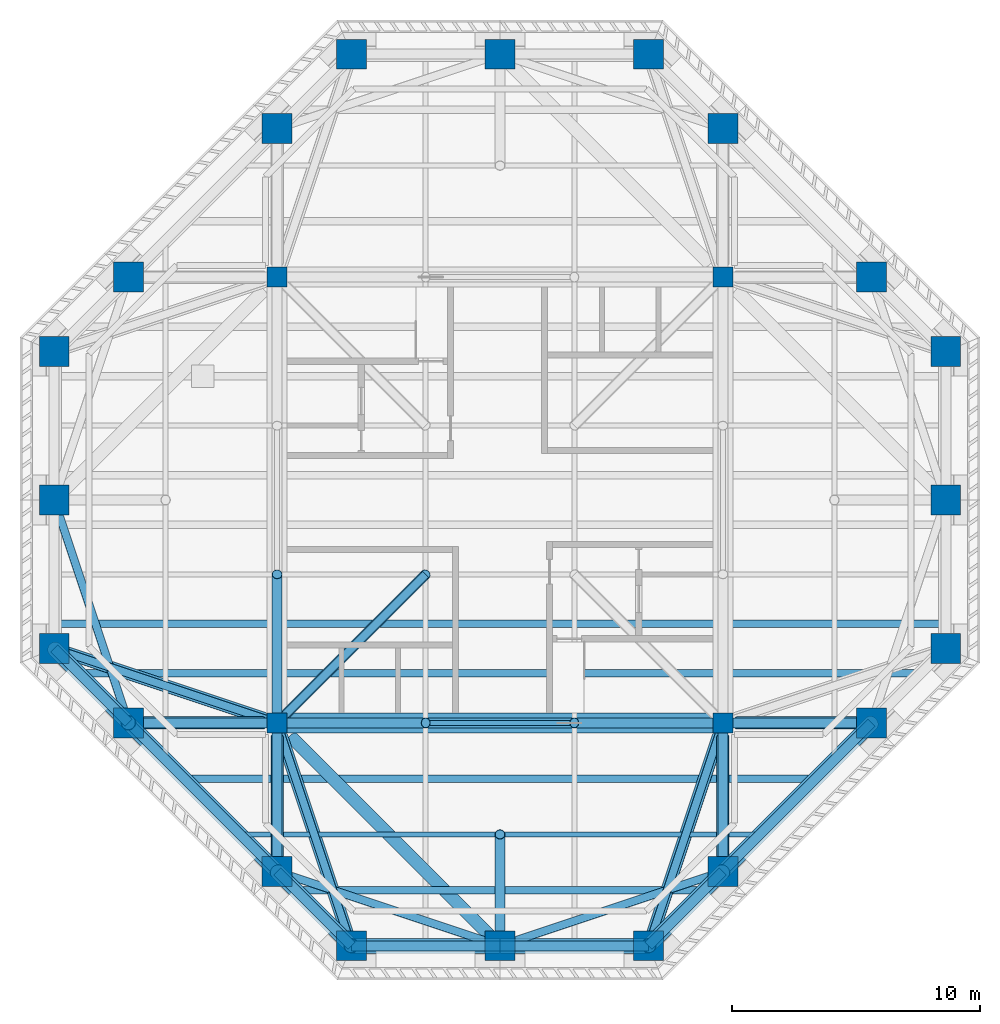
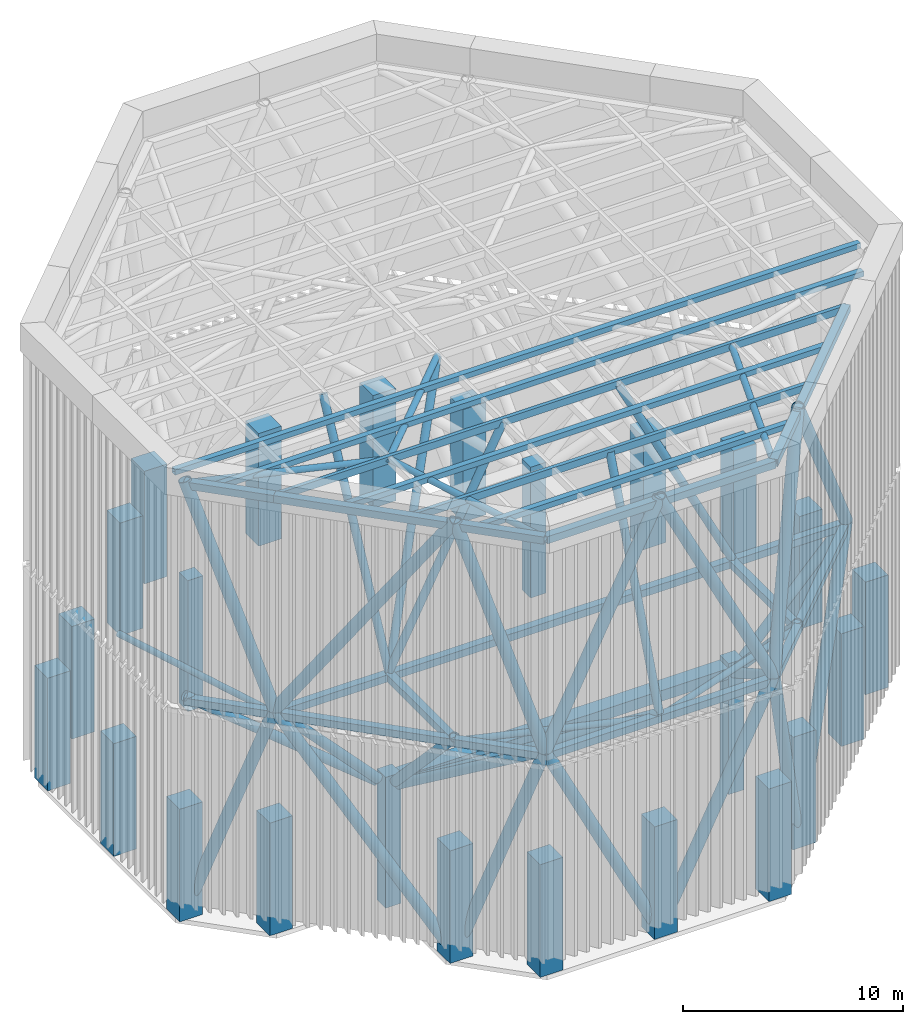
# One storey, part 1 of 8: 34 members, 26 beams, 24 columns.
"""IFC4 building model written with IfcOpenShell, lengths in metres."""

from ifc_helpers import new_model, si_unit, direction, frame, origin, origin_2d, place, context, subcontext, project, spatial, rectangle, hollow_rectangle, hollow_circle, extrude, material, material_profile, profile_set, type_object, element, save


model = new_model("IFC4")

# Units and contexts
model_context = context("Model", 3, precision=1e-05, world=origin(), true_north=direction((0.0, 1.0)))
body_context = subcontext(model_context, "Body", "Model", "MODEL_VIEW")
ifc_project = project(units=[si_unit("LENGTHUNIT", "METRE"), si_unit("AREAUNIT", "SQUARE_METRE"), si_unit("VOLUMEUNIT", "CUBIC_METRE"), si_unit("PLANEANGLEUNIT", "RADIAN"), si_unit("MASSUNIT", "GRAM", prefix="KILO")], contexts=[model_context])

# Site, building, storey
site_placement = place(None, origin())
site = spatial("IfcSite", under=ifc_project, at=site_placement, CompositionType="ELEMENT")
building_placement = place(site_placement, origin())
building = spatial("IfcBuilding", under=site, at=building_placement, Name="Torre Cruceta", CompositionType="ELEMENT")
storey_placement = place(building_placement, frame((0.0, 0.0, 293.300048828125)))
storey = spatial("IfcBuildingStorey", under=building, at=storey_placement, Name="RF", CompositionType="ELEMENT", Elevation=293.300048828125)

# Columns
ifc_material_1 = material(Name="Concrete G60 (fck 60 MPa)", Category="concrete")
ifc_material_profile_1 = material_profile(ifc_material_1, rectangle(XDim=1.199951171875, YDim=1.199951171875, at=origin_2d()), Name="RC 1200X1200")
ifc_profile_set_1 = profile_set([ifc_material_profile_1], Name="Concrete G60 (fck 60 MPa)")
column_type_1 = type_object("IfcColumnType", Name="CROWN FRAME POST RC 1200X1200", PredefinedType="COLUMN", material=ifc_profile_set_1)
for number, where, z_axis, x_axis, name in (
    (1, (-18.0, -6.0, 0.0), (0.0, 0.0, 1.0), (1.0, 0.0, 0.0), "Crown frame post CF1 01"),
    (2, (-15.0, -9.0, 0.0), (0.0, 0.0, 1.0), (1.0, 0.0, 0.0), "Crown frame post CF1 02"),
    (3, (-9.0, -15.0, 0.0), (0.0, 0.0, 1.0), (1.0, 0.0, 0.0), "Crown frame post CF1 03"),
    (4, (-6.0, -18.0, 0.0), (0.0, 0.0, 1.0), (1.0, 0.0, 0.0), "Crown frame post CF1 04"),
    (5, (0.0, -18.0, 0.0), (0.0, 0.0, 1.0), (1.0, 0.0, 0.0), "Crown frame post CF1 05"),
    (6, (6.0, -18.0, 0.0), (0.0, 0.0, 1.0), (1.0, 0.0, 0.0), "Crown frame post CF1 06"),
    (7, (9.0, -15.0, 0.0), (0.0, 0.0, 1.0), (1.0, 0.0, 0.0), "Crown frame post CF1 07"),
    (8, (15.0, -9.0, 0.0), (0.0, 0.0, 1.0), (1.0, 0.0, 0.0), "Crown frame post CF1 08"),
    (9, (18.0, -6.0, 0.0), (0.0, 0.0, 1.0), (1.0, 0.0, 0.0), "Crown frame post CF1 09"),
    (10, (18.0, 0.0, 0.0), (0.0, 0.0, 1.0), (1.0, 0.0, 0.0), "Crown frame post CF1 10"),
    (11, (18.0, 6.0, 0.0), (0.0, 0.0, 1.0), (1.0, 0.0, 0.0), "Crown frame post CF1 11"),
    (12, (15.0, 9.0, 0.0), (0.0, 0.0, 1.0), (1.0, 0.0, 0.0), "Crown frame post CF1 12"),
    (13, (9.0, 15.0, 0.0), (0.0, 0.0, 1.0), (1.0, 0.0, 0.0), "Crown frame post CF1 13"),
    (14, (6.0, 18.0, 0.0), (0.0, 0.0, 1.0), (1.0, 0.0, 0.0), "Crown frame post CF1 14"),
    (15, (0.0, 18.0, 0.0), (0.0, 0.0, 1.0), (1.0, 0.0, 0.0), "Crown frame post CF1 15"),
    (16, (-6.0, 18.0, 0.0), (0.0, 0.0, 1.0), (1.0, 0.0, 0.0), "Crown frame post CF1 16"),
    (17, (-9.0, 15.0, 0.0), (0.0, 0.0, 1.0), (1.0, 0.0, 0.0), "Crown frame post CF1 17"),
    (18, (-15.0, 9.0, 0.0), (0.0, 0.0, 1.0), (1.0, 0.0, 0.0), "Crown frame post CF1 18"),
    (19, (-18.0, 6.0, 0.0), (0.0, 0.0, 1.0), (1.0, 0.0, 0.0), "Crown frame post CF1 19"),
    (20, (-18.0, 0.0, 0.0), (0.0, 0.0, 1.0), (1.0, 0.0, 0.0), "Crown frame post CF1 20"),
):
    element("IfcColumn", number, at=place(storey_placement, frame(where, z_axis=z_axis, x_axis=x_axis)), inside=storey, type_object=column_type_1, Name=name, PredefinedType="COLUMN", context=body_context, shape_type="SweptSolid", body=[
        extrude(rectangle(XDim=1.199951171875, YDim=1.199951171875, at=origin_2d()), origin(), (0.0, 0.0, 1.0), 6.25),
    ])
ifc_material_2 = material(Name="Concrete G60 (fck 60 MPa)", Category="concrete")
ifc_material_profile_2 = material_profile(ifc_material_2, rectangle(XDim=0.800048828125, YDim=0.800048828125, at=origin_2d()), Name="RC 800X800")
ifc_profile_set_2 = profile_set([ifc_material_profile_2], Name="Concrete G60 (fck 60 MPa)")
column_type_2 = type_object("IfcColumnType", Name="HEAD-HOUSE CORNER COLUMN RC 800X800", PredefinedType="COLUMN", material=ifc_profile_set_2)
for number, where, z_axis, x_axis, name in (
    (21, (9.0, 9.0, -0.762451171875), (0.0, 0.0, 1.0), (1.0, 0.0, 0.0), "CH1 RF core corner 1"),
    (22, (-9.0, 9.0, -0.762451171875), (0.0, 0.0, 1.0), (1.0, 0.0, 0.0), "CH1 RF core corner 2"),
    (23, (-9.0, -9.0, -0.762451171875), (0.0, 0.0, 1.0), (1.0, 0.0, 0.0), "CH1 RF core corner 3"),
    (24, (9.0, -9.0, -0.762451171875), (0.0, 0.0, 1.0), (1.0, 0.0, 0.0), "CH1 RF core corner 4"),
):
    element("IfcColumn", number, at=place(storey_placement, frame(where, z_axis=z_axis, x_axis=x_axis)), inside=storey, type_object=column_type_2, Name=name, PredefinedType="COLUMN", context=body_context, shape_type="SweptSolid", body=[
        extrude(rectangle(XDim=0.800048828125, YDim=0.800048828125, at=origin_2d()), origin(), (0.0, 0.0, 1.0), 7.262451171875),
    ])

# Beam
ifc_material_3 = material(Name="Concrete G60 (fck 60 MPa)", Category="concrete")
ifc_material_profile_3 = material_profile(ifc_material_3, rectangle(XDim=0.800048828125, YDim=0.60009765625, at=origin_2d()), Name="RC 800X600")
ifc_profile_set_3 = profile_set([ifc_material_profile_3], Name="Concrete G60 (fck 60 MPa)")
beam_type_1 = type_object("IfcBeamType", Name="CORE ROOF RING BEAM RC 800X600", PredefinedType="BEAM", material=ifc_profile_set_3)
beam_1_placement = place(storey_placement, frame((-9.0, -9.0, 5.949951171875), z_axis=(1.0, 0.0, 0.0), x_axis=(0.0, 1.0, 0.0)))
element("IfcBeam", 25, at=beam_1_placement, inside=storey, type_object=beam_type_1, Name="RB1 RF core ring 3", PredefinedType="BEAM", context=body_context, shape_type="SweptSolid", body=[
    extrude(rectangle(XDim=0.800048828125, YDim=0.60009765625, at=origin_2d()), origin(), (0.0, 0.0, 1.0), 18.0),
])

# Members
ifc_material_4 = material(Name="Steel S355J2H", Category="steel")
ifc_material_profile_4 = material_profile(ifc_material_4, hollow_circle(Radius=0.304931640625, WallThickness=0.02490234375, at=origin_2d()), Name="CHS610X25")
ifc_profile_set_4 = profile_set([ifc_material_profile_4], Name="Steel S355J2H")
member_type_1 = type_object("IfcMemberType", Name="CROWN FRAME BRACE CHS610X25", PredefinedType="BRACE", material=ifc_profile_set_4)
member_1_placement = place(storey_placement, frame((-17.973388671875, -6.026611328125, 0.106689453125), z_axis=(0.235706561174, -0.235706561174, 0.942806891171), x_axis=(0.707106781187, 0.707106781187, 0.0)))
element("IfcMember", 26, at=member_1_placement, inside=storey, type_object=member_type_1, Name="Crown frame brace CD2 1-01", PredefinedType="BRACE", context=body_context, shape_type="SweptSolid", body=[
    extrude(hollow_circle(Radius=0.304931640625, WallThickness=0.02490234375, at=origin_2d()), origin(), (0.0, 0.0, 1.0), 12.61474609375),
])
member_2_placement = place(storey_placement, frame((-9.090576171875, -14.909423828125, 0.18115234375), z_axis=(-0.408248290464, 0.408248290464, 0.816496580928), x_axis=(-0.707106781187, -0.707106781187, 0.0)))
element("IfcMember", 27, at=member_2_placement, inside=storey, type_object=member_type_1, Name="Crown frame brace CD2 1-02", PredefinedType="BRACE", context=body_context, shape_type="SweptSolid", body=[
    extrude(hollow_circle(Radius=0.304931640625, WallThickness=0.02490234375, at=origin_2d()), origin(), (0.0, 0.0, 1.0), 14.47509765625),
])
member_3_placement = place(storey_placement, frame((-8.973388671875, -15.026611328125, 0.106689453125), z_axis=(0.235706561174, -0.235706561174, 0.942806891171), x_axis=(0.707106781187, 0.707106781187, 0.0)))
element("IfcMember", 28, at=member_3_placement, inside=storey, type_object=member_type_1, Name="Crown frame brace CD2 1-03", PredefinedType="BRACE", context=body_context, shape_type="SweptSolid", body=[
    extrude(hollow_circle(Radius=0.304931640625, WallThickness=0.02490234375, at=origin_2d()), origin(), (0.0, 0.0, 1.0), 12.61474609375),
])
for number, where, z_axis, x_axis, name in (
    (29, (-0.07080078125, -18.0, 0.141357421875), (-0.447206229822, 0.0, 0.894430873801), (0.0, -1.0, 0.0), "Crown frame brace CD2 1-04"),
    (30, (0.07080078125, -18.0, 0.141357421875), (0.447206229822, 0.0, 0.894430873801), (0.0, 1.0, 0.0), "Crown frame brace CD2 1-05"),
):
    element("IfcMember", number, at=place(storey_placement, frame(where, z_axis=z_axis, x_axis=x_axis)), inside=storey, type_object=member_type_1, Name=name, PredefinedType="BRACE", context=body_context, shape_type="SweptSolid", body=[
        extrude(hollow_circle(Radius=0.304931640625, WallThickness=0.02490234375, at=origin_2d()), origin(), (0.0, 0.0, 1.0), 13.25830078125),
    ])
member_4_placement = place(storey_placement, frame((8.973388671875, -15.026611328125, 0.106689453125), z_axis=(-0.235706561174, -0.235706561174, 0.942806891171), x_axis=(0.707106781187, -0.707106781187, 0.0)))
element("IfcMember", 31, at=member_4_placement, inside=storey, type_object=member_type_1, Name="Crown frame brace CD2 1-06", PredefinedType="BRACE", context=body_context, shape_type="SweptSolid", body=[
    extrude(hollow_circle(Radius=0.304931640625, WallThickness=0.02490234375, at=origin_2d()), origin(), (0.0, 0.0, 1.0), 12.61474609375),
])
member_5_placement = place(storey_placement, frame((9.090576171875, -14.909423828125, 0.18115234375), z_axis=(0.408248290464, 0.408248290464, 0.816496580928), x_axis=(-0.707106781187, 0.707106781187, 0.0)))
element("IfcMember", 32, at=member_5_placement, inside=storey, type_object=member_type_1, Name="Crown frame brace CD2 1-07", PredefinedType="BRACE", context=body_context, shape_type="SweptSolid", body=[
    extrude(hollow_circle(Radius=0.304931640625, WallThickness=0.02490234375, at=origin_2d()), origin(), (0.0, 0.0, 1.0), 14.47509765625),
])
ifc_material_5 = material(Name="Steel S355J2H", Category="steel")
ifc_material_profile_5 = material_profile(ifc_material_5, hollow_circle(Radius=0.304931640625, WallThickness=0.030029296875, at=origin_2d()), Name="CHS610X30")
ifc_profile_set_5 = profile_set([ifc_material_profile_5], Name="Steel S355J2H")
member_type_2 = type_object("IfcMemberType", Name="CROWN FRAME BRACE CHS610X30", PredefinedType="BRACE", material=ifc_profile_set_5)
member_6_placement = place(storey_placement, frame((-15.0, -9.0, 12.0), z_axis=(-0.235702260396, 0.235702260396, 0.942809041582), x_axis=(-0.707106781187, -0.707106781187, 0.0)))
element("IfcMember", 33, at=member_6_placement, inside=storey, type_object=member_type_2, Name="Crown frame brace CD1 2-01", PredefinedType="BRACE", context=body_context, shape_type="SweptSolid", body=[
    extrude(hollow_circle(Radius=0.304931640625, WallThickness=0.030029296875, at=origin_2d()), origin(), (0.0, 0.0, 1.0), 12.72802734375),
])
member_7_placement = place(storey_placement, frame((-15.0, -9.0, 12.0), z_axis=(0.408248290464, -0.408248290464, 0.816496580928), x_axis=(0.707106781187, 0.707106781187, 0.0)))
element("IfcMember", 34, at=member_7_placement, inside=storey, type_object=member_type_2, Name="Crown frame brace CD1 2-02", PredefinedType="BRACE", context=body_context, shape_type="SweptSolid", body=[
    extrude(hollow_circle(Radius=0.304931640625, WallThickness=0.030029296875, at=origin_2d()), origin(), (0.0, 0.0, 1.0), 14.697021484375),
])
member_8_placement = place(storey_placement, frame((-6.0, -18.0, 12.0), z_axis=(-0.235702260396, 0.235702260396, 0.942809041582), x_axis=(-0.707106781187, -0.707106781187, 0.0)))
element("IfcMember", 35, at=member_8_placement, inside=storey, type_object=member_type_2, Name="Crown frame brace CD1 2-03", PredefinedType="BRACE", context=body_context, shape_type="SweptSolid", body=[
    extrude(hollow_circle(Radius=0.304931640625, WallThickness=0.030029296875, at=origin_2d()), origin(), (0.0, 0.0, 1.0), 12.72802734375),
])
for number, where, z_axis, x_axis, name in (
    (36, (-6.0, -18.0, 12.0), (0.4472135955, 0.0, 0.894427191), (0.0, 1.0, 0.0), "Crown frame brace CD1 2-04"),
    (37, (6.0, -18.0, 12.0), (-0.4472135955, 0.0, 0.894427191), (0.0, -1.0, 0.0), "Crown frame brace CD1 2-05"),
):
    element("IfcMember", number, at=place(storey_placement, frame(where, z_axis=z_axis, x_axis=x_axis)), inside=storey, type_object=member_type_2, Name=name, PredefinedType="BRACE", context=body_context, shape_type="SweptSolid", body=[
        extrude(hollow_circle(Radius=0.304931640625, WallThickness=0.030029296875, at=origin_2d()), origin(), (0.0, 0.0, 1.0), 13.41650390625),
    ])
member_9_placement = place(storey_placement, frame((6.0, -18.0, 12.0), z_axis=(0.235702260396, 0.235702260396, 0.942809041582), x_axis=(-0.707106781187, 0.707106781187, 0.0)))
element("IfcMember", 38, at=member_9_placement, inside=storey, type_object=member_type_2, Name="Crown frame brace CD1 2-06", PredefinedType="BRACE", context=body_context, shape_type="SweptSolid", body=[
    extrude(hollow_circle(Radius=0.304931640625, WallThickness=0.030029296875, at=origin_2d()), origin(), (0.0, 0.0, 1.0), 12.72802734375),
])
member_10_placement = place(storey_placement, frame((15.0, -9.0, 12.0), z_axis=(-0.408248290464, -0.408248290464, 0.816496580928), x_axis=(0.707106781187, -0.707106781187, 0.0)))
element("IfcMember", 39, at=member_10_placement, inside=storey, type_object=member_type_2, Name="Crown frame brace CD1 2-07", PredefinedType="BRACE", context=body_context, shape_type="SweptSolid", body=[
    extrude(hollow_circle(Radius=0.304931640625, WallThickness=0.030029296875, at=origin_2d()), origin(), (0.0, 0.0, 1.0), 14.697021484375),
])

# Beams
ifc_material_6 = material(Name="Steel S355J2H", Category="steel")
ifc_material_profile_6 = material_profile(ifc_material_6, hollow_rectangle(XDim=0.199951171875, YDim=0.39990234375, WallThickness=0.012451171875, at=origin_2d()), Name="RHS400X200X12.5")
ifc_profile_set_6 = profile_set([ifc_material_profile_6], Name="Steel S355J2H")
beam_type_2 = type_object("IfcBeamType", Name="CROWN FRAME CAP BEAM RHS400X200X12.5", PredefinedType="BEAM", material=ifc_profile_set_6)
beam_2_placement = place(storey_placement, frame((-15.0, -9.0, 23.800048828125), z_axis=(1.0, 0.0, 0.0), x_axis=(0.0, 1.0, 0.0)))
element("IfcBeam", 40, at=beam_2_placement, inside=storey, type_object=beam_type_2, Name="Crown frame cap beam CK1 G01", PredefinedType="BEAM", context=body_context, shape_type="SweptSolid", body=[
    extrude(hollow_rectangle(XDim=0.199951171875, YDim=0.39990234375, WallThickness=0.012451171875, at=origin_2d()), origin(), (0.0, 0.0, 1.0), 30.0),
])
beam_3_placement = place(storey_placement, frame((-10.5, -13.5, 23.800048828125), z_axis=(1.0, 0.0, 0.0), x_axis=(0.0, 1.0, 0.0)))
element("IfcBeam", 41, at=beam_3_placement, inside=storey, type_object=beam_type_2, Name="Crown frame cap beam CK1 G09", PredefinedType="BEAM", context=body_context, shape_type="SweptSolid", body=[
    extrude(hollow_rectangle(XDim=0.199951171875, YDim=0.39990234375, WallThickness=0.012451171875, at=origin_2d()), origin(), (0.0, 0.0, 1.0), 21.0),
])

# Members
ifc_material_7 = material(Name="Steel S355J2H", Category="steel")
ifc_material_profile_7 = material_profile(ifc_material_7, hollow_circle(Radius=0.203125, WallThickness=0.012451171875, at=origin_2d()), Name="CHS406.4X12.5")
ifc_profile_set_7 = profile_set([ifc_material_profile_7], Name="Steel S355J2H")
member_type_3 = type_object("IfcMemberType", Name="CROWN FRAME CAP STRUT CHS406.4X12.5", PredefinedType="BRACE", material=ifc_profile_set_7)
for number, where, z_axis, x_axis, name in (
    (42, (9.0, -9.0, 12.0), (-0.45324518615, 0.0, 0.891385887947), (0.0, -1.0, 0.0), "Crown frame cap strut CD3 04"),
    (43, (-9.0, -9.0, 12.0), (0.45324518615, 0.0, 0.891385887947), (0.0, 1.0, 0.0), "Crown frame cap strut CD3 10"),
    (44, (-9.0, -9.0, 12.0), (0.0, 0.45324518615, 0.891385887947), (-1.0, 0.0, 0.0), "Crown frame cap strut CD3 11"),
):
    element("IfcMember", number, at=place(storey_placement, frame(where, z_axis=z_axis, x_axis=x_axis)), inside=storey, type_object=member_type_3, Name=name, PredefinedType="BRACE", context=body_context, shape_type="SweptSolid", body=[
        extrude(hollow_circle(Radius=0.203125, WallThickness=0.012451171875, at=origin_2d()), origin(), (0.0, 0.0, 1.0), 13.23779296875),
    ])
member_11_placement = place(storey_placement, frame((-9.0, -9.0, 12.0), z_axis=(0.412821194751, 0.412821194751, 0.811885042558), x_axis=(-0.707106781187, 0.707106781187, 0.0)))
element("IfcMember", 45, at=member_11_placement, inside=storey, type_object=member_type_3, Name="Crown frame cap strut CD3 12", PredefinedType="BRACE", context=body_context, shape_type="SweptSolid", body=[
    extrude(hollow_circle(Radius=0.203125, WallThickness=0.012451171875, at=origin_2d()), origin(), (0.0, 0.0, 1.0), 14.5341796875),
])
member_12_placement = place(storey_placement, frame((0.0, -18.0, 12.0), z_axis=(0.0, 0.356323295084, 0.934362729019), x_axis=(-1.0, 0.0, 0.0)))
element("IfcMember", 46, at=member_12_placement, inside=storey, type_object=member_type_3, Name="Crown frame cap strut CD3 14", PredefinedType="BRACE", context=body_context, shape_type="SweptSolid", body=[
    extrude(hollow_circle(Radius=0.203125, WallThickness=0.012451171875, at=origin_2d()), origin(), (0.0, 0.0, 1.0), 12.62890625),
])
ifc_material_8 = material(Name="Steel S355J2H", Category="steel")
ifc_material_profile_8 = material_profile(ifc_material_8, hollow_circle(Radius=0.161865234375, WallThickness=0.010009765625, at=origin_2d()), Name="CHS323.9X10")
ifc_profile_set_8 = profile_set([ifc_material_profile_8], Name="Steel S355J2H")
member_type_4 = type_object("IfcMemberType", Name="CROWN FRAME PLAN BRACE CHS323.9X10", PredefinedType="BRACE", material=ifc_profile_set_8)
for number, where, z_axis, x_axis, name in (
    (47, (-9.0, -15.0, 11.800048828125), (0.948683298051, -0.316227766017, 0.0), (0.316227766017, 0.948683298051, 0.0), "Crown frame plan brace CX1 1-03"),
    (48, (0.0, -18.0, 11.800048828125), (0.948683298051, 0.316227766017, 0.0), (-0.316227766017, 0.948683298051, 0.0), "Crown frame plan brace CX1 1-05"),
    (49, (-18.0, 0.0, 11.800048828125), (0.316227766017, -0.948683298051, 0.0), (0.948683298051, 0.316227766017, 0.0), "Crown frame plan brace CX1 1-20"),
):
    element("IfcMember", number, at=place(storey_placement, frame(where, z_axis=z_axis, x_axis=x_axis)), inside=storey, type_object=member_type_4, Name=name, PredefinedType="BRACE", context=body_context, shape_type="SweptSolid", body=[
        extrude(hollow_circle(Radius=0.161865234375, WallThickness=0.010009765625, at=origin_2d()), origin(), (0.0, 0.0, 1.0), 9.48681640625),
    ])
member_13_placement = place(storey_placement, frame((-9.0, -9.0, 23.800048828125), z_axis=(0.707106781187, 0.707106781187, 0.0), x_axis=(-0.707106781187, 0.707106781187, 0.0)))
element("IfcMember", 50, at=member_13_placement, inside=storey, type_object=member_type_4, Name="Crown frame plan brace CX1 2-01", PredefinedType="BRACE", context=body_context, shape_type="SweptSolid", body=[
    extrude(hollow_circle(Radius=0.161865234375, WallThickness=0.010009765625, at=origin_2d()), origin(), (0.0, 0.0, 1.0), 8.4853515625),
])
for number, where, z_axis, x_axis, name in (
    (51, (-9.0, -9.0, 23.800048828125), (0.316227766017, -0.948683298051, 0.0), (0.948683298051, 0.316227766017, 0.0), "Crown frame plan brace CX1 2-07"),
    (52, (9.0, -9.0, 23.800048828125), (-0.316227766017, -0.948683298051, 0.0), (0.948683298051, -0.316227766017, 0.0), "Crown frame plan brace CX1 2-08"),
    (53, (-9.0, -9.0, 23.800048828125), (-0.948683298051, 0.316227766017, 0.0), (-0.316227766017, -0.948683298051, 0.0), "Crown frame plan brace CX1 2-10"),
):
    element("IfcMember", number, at=place(storey_placement, frame(where, z_axis=z_axis, x_axis=x_axis)), inside=storey, type_object=member_type_4, Name=name, PredefinedType="BRACE", context=body_context, shape_type="SweptSolid", body=[
        extrude(hollow_circle(Radius=0.161865234375, WallThickness=0.010009765625, at=origin_2d()), origin(), (0.0, 0.0, 1.0), 9.48681640625),
    ])

# Beams
ifc_material_9 = material(Name="Steel S355J2H", Category="steel")
ifc_material_profile_9 = material_profile(ifc_material_9, hollow_rectangle(XDim=0.39990234375, YDim=0.39990234375, WallThickness=0.02001953125, at=origin_2d()), Name="SHS400X400X20")
ifc_profile_set_9 = profile_set([ifc_material_profile_9], Name="Steel S355J2H")
beam_type_3 = type_object("IfcBeamType", Name="CROWN FRAME RING BEAM SHS400X400X20", PredefinedType="BEAM", material=ifc_profile_set_9)
beam_4_placement = place(storey_placement, frame((-18.0, -6.0, 11.800048828125), z_axis=(0.707106781187, -0.707106781187, 0.0), x_axis=(0.707106781187, 0.707106781187, 0.0)))
element("IfcBeam", 54, at=beam_4_placement, inside=storey, type_object=beam_type_3, Name="Crown frame ring beam CR1 1-01", PredefinedType="BEAM", context=body_context, shape_type="SweptSolid", body=[
    extrude(hollow_rectangle(XDim=0.39990234375, YDim=0.39990234375, WallThickness=0.02001953125, at=origin_2d()), origin(), (0.0, 0.0, 1.0), 4.24267578125),
])
beam_5_placement = place(storey_placement, frame((-15.0, -9.0, 11.800048828125), z_axis=(0.707106781187, -0.707106781187, 0.0), x_axis=(0.707106781187, 0.707106781187, 0.0)))
element("IfcBeam", 55, at=beam_5_placement, inside=storey, type_object=beam_type_3, Name="Crown frame ring beam CR1 1-02", PredefinedType="BEAM", context=body_context, shape_type="SweptSolid", body=[
    extrude(hollow_rectangle(XDim=0.39990234375, YDim=0.39990234375, WallThickness=0.02001953125, at=origin_2d()), origin(), (0.0, 0.0, 1.0), 8.4853515625),
])
beam_6_placement = place(storey_placement, frame((-9.0, -15.0, 11.800048828125), z_axis=(0.707106781187, -0.707106781187, 0.0), x_axis=(0.707106781187, 0.707106781187, 0.0)))
element("IfcBeam", 56, at=beam_6_placement, inside=storey, type_object=beam_type_3, Name="Crown frame ring beam CR1 1-03", PredefinedType="BEAM", context=body_context, shape_type="SweptSolid", body=[
    extrude(hollow_rectangle(XDim=0.39990234375, YDim=0.39990234375, WallThickness=0.02001953125, at=origin_2d()), origin(), (0.0, 0.0, 1.0), 4.24267578125),
])
for number, where, z_axis, x_axis, name in (
    (57, (-6.0, -18.0, 11.800048828125), (1.0, 0.0, 0.0), (0.0, 1.0, 0.0), "Crown frame ring beam CR1 1-04"),
    (58, (0.0, -18.0, 11.800048828125), (1.0, 0.0, 0.0), (0.0, 1.0, 0.0), "Crown frame ring beam CR1 1-05"),
):
    element("IfcBeam", number, at=place(storey_placement, frame(where, z_axis=z_axis, x_axis=x_axis)), inside=storey, type_object=beam_type_3, Name=name, PredefinedType="BEAM", context=body_context, shape_type="SweptSolid", body=[
        extrude(hollow_rectangle(XDim=0.39990234375, YDim=0.39990234375, WallThickness=0.02001953125, at=origin_2d()), origin(), (0.0, 0.0, 1.0), 6.0),
    ])
beam_7_placement = place(storey_placement, frame((6.0, -18.0, 11.800048828125), z_axis=(0.707106781187, 0.707106781187, 0.0), x_axis=(-0.707106781187, 0.707106781187, 0.0)))
element("IfcBeam", 59, at=beam_7_placement, inside=storey, type_object=beam_type_3, Name="Crown frame ring beam CR1 1-06", PredefinedType="BEAM", context=body_context, shape_type="SweptSolid", body=[
    extrude(hollow_rectangle(XDim=0.39990234375, YDim=0.39990234375, WallThickness=0.02001953125, at=origin_2d()), origin(), (0.0, 0.0, 1.0), 4.24267578125),
])
beam_8_placement = place(storey_placement, frame((9.0, -15.0, 11.800048828125), z_axis=(0.707106781187, 0.707106781187, 0.0), x_axis=(-0.707106781187, 0.707106781187, 0.0)))
element("IfcBeam", 60, at=beam_8_placement, inside=storey, type_object=beam_type_3, Name="Crown frame ring beam CR1 1-07", PredefinedType="BEAM", context=body_context, shape_type="SweptSolid", body=[
    extrude(hollow_rectangle(XDim=0.39990234375, YDim=0.39990234375, WallThickness=0.02001953125, at=origin_2d()), origin(), (0.0, 0.0, 1.0), 8.4853515625),
])
beam_9_placement = place(storey_placement, frame((-18.0, -6.0, 23.800048828125), z_axis=(0.707106781187, -0.707106781187, 0.0), x_axis=(0.707106781187, 0.707106781187, 0.0)))
element("IfcBeam", 61, at=beam_9_placement, inside=storey, type_object=beam_type_3, Name="Crown frame ring beam CR1 2-01", PredefinedType="BEAM", context=body_context, shape_type="SweptSolid", body=[
    extrude(hollow_rectangle(XDim=0.39990234375, YDim=0.39990234375, WallThickness=0.02001953125, at=origin_2d()), origin(), (0.0, 0.0, 1.0), 4.24267578125),
])
beam_10_placement = place(storey_placement, frame((-15.0, -9.0, 23.800048828125), z_axis=(0.707106781187, -0.707106781187, 0.0), x_axis=(0.707106781187, 0.707106781187, 0.0)))
element("IfcBeam", 62, at=beam_10_placement, inside=storey, type_object=beam_type_3, Name="Crown frame ring beam CR1 2-02", PredefinedType="BEAM", context=body_context, shape_type="SweptSolid", body=[
    extrude(hollow_rectangle(XDim=0.39990234375, YDim=0.39990234375, WallThickness=0.02001953125, at=origin_2d()), origin(), (0.0, 0.0, 1.0), 8.4853515625),
])
beam_11_placement = place(storey_placement, frame((-9.0, -15.0, 23.800048828125), z_axis=(0.707106781187, -0.707106781187, 0.0), x_axis=(0.707106781187, 0.707106781187, 0.0)))
element("IfcBeam", 63, at=beam_11_placement, inside=storey, type_object=beam_type_3, Name="Crown frame ring beam CR1 2-03", PredefinedType="BEAM", context=body_context, shape_type="SweptSolid", body=[
    extrude(hollow_rectangle(XDim=0.39990234375, YDim=0.39990234375, WallThickness=0.02001953125, at=origin_2d()), origin(), (0.0, 0.0, 1.0), 4.24267578125),
])
for number, where, z_axis, x_axis, name in (
    (64, (-6.0, -18.0, 23.800048828125), (1.0, 0.0, 0.0), (0.0, 1.0, 0.0), "Crown frame ring beam CR1 2-04"),
    (65, (0.0, -18.0, 23.800048828125), (1.0, 0.0, 0.0), (0.0, 1.0, 0.0), "Crown frame ring beam CR1 2-05"),
):
    element("IfcBeam", number, at=place(storey_placement, frame(where, z_axis=z_axis, x_axis=x_axis)), inside=storey, type_object=beam_type_3, Name=name, PredefinedType="BEAM", context=body_context, shape_type="SweptSolid", body=[
        extrude(hollow_rectangle(XDim=0.39990234375, YDim=0.39990234375, WallThickness=0.02001953125, at=origin_2d()), origin(), (0.0, 0.0, 1.0), 6.0),
    ])
beam_12_placement = place(storey_placement, frame((6.0, -18.0, 23.800048828125), z_axis=(0.707106781187, 0.707106781187, 0.0), x_axis=(-0.707106781187, 0.707106781187, 0.0)))
element("IfcBeam", 66, at=beam_12_placement, inside=storey, type_object=beam_type_3, Name="Crown frame ring beam CR1 2-06", PredefinedType="BEAM", context=body_context, shape_type="SweptSolid", body=[
    extrude(hollow_rectangle(XDim=0.39990234375, YDim=0.39990234375, WallThickness=0.02001953125, at=origin_2d()), origin(), (0.0, 0.0, 1.0), 4.24267578125),
])
beam_13_placement = place(storey_placement, frame((9.0, -15.0, 23.800048828125), z_axis=(0.707106781187, 0.707106781187, 0.0), x_axis=(-0.707106781187, 0.707106781187, 0.0)))
element("IfcBeam", 67, at=beam_13_placement, inside=storey, type_object=beam_type_3, Name="Crown frame ring beam CR1 2-07", PredefinedType="BEAM", context=body_context, shape_type="SweptSolid", body=[
    extrude(hollow_rectangle(XDim=0.39990234375, YDim=0.39990234375, WallThickness=0.02001953125, at=origin_2d()), origin(), (0.0, 0.0, 1.0), 8.4853515625),
])
beam_14_placement = place(storey_placement, frame((-9.0, -9.0, 11.800048828125), z_axis=(1.0, 0.0, 0.0), x_axis=(0.0, 1.0, 0.0)))
element("IfcBeam", 68, at=beam_14_placement, inside=storey, type_object=beam_type_3, Name="Crown frame ring beam CR1 I-03", PredefinedType="BEAM", context=body_context, shape_type="SweptSolid", body=[
    extrude(hollow_rectangle(XDim=0.39990234375, YDim=0.39990234375, WallThickness=0.02001953125, at=origin_2d()), origin(), (0.0, 0.0, 1.0), 18.0),
])
for number, where, z_axis, x_axis, name in (
    (69, (-9.0, -9.0, 11.800048828125), (-1.0, 0.0, 0.0), (0.0, -1.0, 0.0), "Crown frame ring beam CR1 I-09"),
    (70, (-9.0, -9.0, 11.800048828125), (0.0, -1.0, 0.0), (1.0, 0.0, 0.0), "Crown frame ring beam CR1 I-10"),
    (71, (9.0, -9.0, 11.800048828125), (1.0, 0.0, 0.0), (0.0, 1.0, 0.0), "Crown frame ring beam CR1 I-11"),
    (72, (9.0, -9.0, 11.800048828125), (0.0, -1.0, 0.0), (1.0, 0.0, 0.0), "Crown frame ring beam CR1 I-12"),
):
    element("IfcBeam", number, at=place(storey_placement, frame(where, z_axis=z_axis, x_axis=x_axis)), inside=storey, type_object=beam_type_3, Name=name, PredefinedType="BEAM", context=body_context, shape_type="SweptSolid", body=[
        extrude(hollow_rectangle(XDim=0.39990234375, YDim=0.39990234375, WallThickness=0.02001953125, at=origin_2d()), origin(), (0.0, 0.0, 1.0), 6.0),
    ])
ifc_material_10 = material(Name="Steel S355J2H", Category="steel")
ifc_material_profile_10 = material_profile(ifc_material_10, hollow_rectangle(XDim=0.300048828125, YDim=0.300048828125, WallThickness=0.012451171875, at=origin_2d()), Name="SHS300X300X12.5")
ifc_profile_set_10 = profile_set([ifc_material_profile_10], Name="Steel S355J2H")
beam_type_4 = type_object("IfcBeamType", Name="CROWN FRAME SECONDARY BEAM SHS300X300X12.5", PredefinedType="JOIST", material=ifc_profile_set_10)
beam_15_placement = place(storey_placement, frame((-8.25, -15.75, 23.849853515625), z_axis=(1.0, 0.0, 0.0), x_axis=(0.0, 1.0, 0.0)))
element("IfcBeam", 73, at=beam_15_placement, inside=storey, type_object=beam_type_4, Name="Crown frame secondary beam CK2 01", PredefinedType="JOIST", context=body_context, shape_type="SweptSolid", body=[
    extrude(hollow_rectangle(XDim=0.300048828125, YDim=0.300048828125, WallThickness=0.012451171875, at=origin_2d()), origin(), (0.0, 0.0, 1.0), 16.5),
])
beam_16_placement = place(storey_placement, frame((-12.75, -11.25, 23.849853515625), z_axis=(1.0, 0.0, 0.0), x_axis=(0.0, 1.0, 0.0)))
element("IfcBeam", 74, at=beam_16_placement, inside=storey, type_object=beam_type_4, Name="Crown frame secondary beam CK2 02", PredefinedType="JOIST", context=body_context, shape_type="SweptSolid", body=[
    extrude(hollow_rectangle(XDim=0.300048828125, YDim=0.300048828125, WallThickness=0.012451171875, at=origin_2d()), origin(), (0.0, 0.0, 1.0), 25.5),
])
beam_17_placement = place(storey_placement, frame((-17.0, -7.0, 23.849853515625), z_axis=(1.0, 0.0, 0.0), x_axis=(0.0, 1.0, 0.0)))
element("IfcBeam", 75, at=beam_17_placement, inside=storey, type_object=beam_type_4, Name="Crown frame secondary beam CK2 03", PredefinedType="JOIST", context=body_context, shape_type="SweptSolid", body=[
    extrude(hollow_rectangle(XDim=0.300048828125, YDim=0.300048828125, WallThickness=0.012451171875, at=origin_2d()), origin(), (0.0, 0.0, 1.0), 34.0),
])
beam_18_placement = place(storey_placement, frame((-18.0, -5.0, 23.849853515625), z_axis=(1.0, 0.0, 0.0), x_axis=(0.0, 1.0, 0.0)))
element("IfcBeam", 76, at=beam_18_placement, inside=storey, type_object=beam_type_4, Name="Crown frame secondary beam CK2 04", PredefinedType="JOIST", context=body_context, shape_type="SweptSolid", body=[
    extrude(hollow_rectangle(XDim=0.300048828125, YDim=0.300048828125, WallThickness=0.012451171875, at=origin_2d()), origin(), (0.0, 0.0, 1.0), 36.0),
])

# Members
ifc_material_11 = material(Name="Steel S355J2H", Category="steel")
ifc_material_profile_11 = material_profile(ifc_material_11, hollow_circle(Radius=0.25390625, WallThickness=0.01611328125, at=origin_2d()), Name="CHS508X16")
ifc_profile_set_11 = profile_set([ifc_material_profile_11], Name="Steel S355J2H")
member_type_5 = type_object("IfcMemberType", Name="CROWN FRAME TIE CHS508X16", PredefinedType="STRUT", material=ifc_profile_set_11)
member_14_placement = place(storey_placement, frame((-9.556640625, -8.814453125, 6.042724609375), z_axis=(-0.78837426852, 0.26279142284, 0.55624336474), x_axis=(-0.316227766017, -0.948683298051, 0.0)))
element("IfcMember", 77, at=member_14_placement, inside=storey, type_object=member_type_5, Name="Crown frame tie CT1 01", PredefinedType="STRUT", context=body_context, shape_type="SweptSolid", body=[
    extrude(hollow_circle(Radius=0.25390625, WallThickness=0.01611328125, at=origin_2d()), origin(), (0.0, 0.0, 1.0), 10.709716796875),
])
for number, where, z_axis, x_axis, name in (
    (78, (-9.5849609375, -9.0, 6.26904296875), (-0.68678899506, 0.0, 0.726856847161), (0.0, -1.0, 0.0), "Crown frame tie CT1 02"),
    (79, (-9.0, -9.5849609375, 6.26904296875), (0.0, -0.68678899506, 0.726856847161), (1.0, 0.0, 0.0), "Crown frame tie CT1 03"),
):
    element("IfcMember", number, at=place(storey_placement, frame(where, z_axis=z_axis, x_axis=x_axis)), inside=storey, type_object=member_type_5, Name=name, PredefinedType="STRUT", context=body_context, shape_type="SweptSolid", body=[
        extrude(hollow_circle(Radius=0.25390625, WallThickness=0.01611328125, at=origin_2d()), origin(), (0.0, 0.0, 1.0), 7.884521484375),
    ])
member_15_placement = place(storey_placement, frame((-8.814453125, -9.556640625, 6.042724609375), z_axis=(0.26279142284, -0.78837426852, 0.55624336474), x_axis=(0.948683298051, 0.316227766017, 0.0)))
element("IfcMember", 80, at=member_15_placement, inside=storey, type_object=member_type_5, Name="Crown frame tie CT1 04", PredefinedType="STRUT", context=body_context, shape_type="SweptSolid", body=[
    extrude(hollow_circle(Radius=0.25390625, WallThickness=0.01611328125, at=origin_2d()), origin(), (0.0, 0.0, 1.0), 10.709716796875),
])
member_16_placement = place(storey_placement, frame((-8.403076171875, -9.596923828125, 6.071044921875), z_axis=(0.632730391872, -0.632730391872, 0.446435328354), x_axis=(0.707106781187, 0.707106781187, 0.0)))
element("IfcMember", 81, at=member_16_placement, inside=storey, type_object=member_type_5, Name="Crown frame tie CT1 05", PredefinedType="STRUT", context=body_context, shape_type="SweptSolid", body=[
    extrude(hollow_circle(Radius=0.25390625, WallThickness=0.01611328125, at=origin_2d()), origin(), (0.0, 0.0, 1.0), 13.28076171875),
])
member_17_placement = place(storey_placement, frame((8.814453125, -9.556640625, 6.042724609375), z_axis=(-0.26279142284, -0.78837426852, 0.55624336474), x_axis=(0.948683298051, -0.316227766017, 0.0)))
element("IfcMember", 82, at=member_17_placement, inside=storey, type_object=member_type_5, Name="Crown frame tie CT1 06", PredefinedType="STRUT", context=body_context, shape_type="SweptSolid", body=[
    extrude(hollow_circle(Radius=0.25390625, WallThickness=0.01611328125, at=origin_2d()), origin(), (0.0, 0.0, 1.0), 10.709716796875),
])
for number, where, z_axis, x_axis, name in (
    (83, (9.0, -9.5849609375, 6.26904296875), (0.0, -0.68678899506, 0.726856847161), (1.0, 0.0, 0.0), "Crown frame tie CT1 07"),
    (84, (9.5849609375, -9.0, 6.26904296875), (0.68678899506, 0.0, 0.726856847161), (0.0, 1.0, 0.0), "Crown frame tie CT1 08"),
):
    element("IfcMember", number, at=place(storey_placement, frame(where, z_axis=z_axis, x_axis=x_axis)), inside=storey, type_object=member_type_5, Name=name, PredefinedType="STRUT", context=body_context, shape_type="SweptSolid", body=[
        extrude(hollow_circle(Radius=0.25390625, WallThickness=0.01611328125, at=origin_2d()), origin(), (0.0, 0.0, 1.0), 7.884521484375),
    ])

save(model, "model.ifc")
